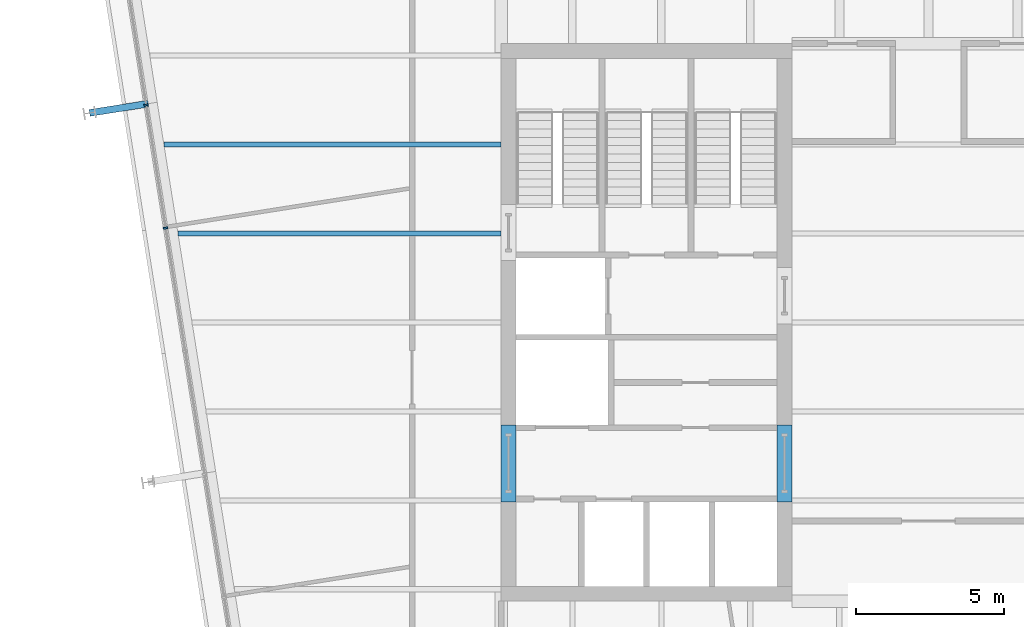
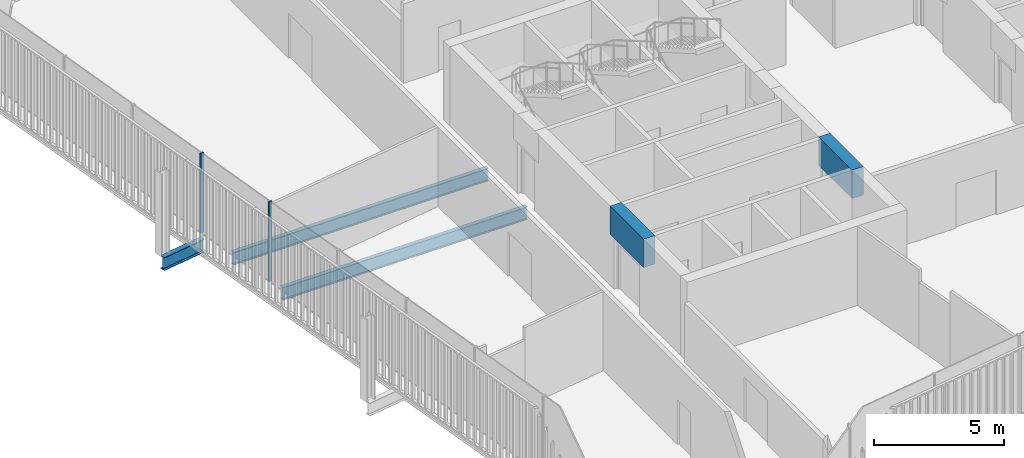
# One storey, part 6 of 20: 5 beams, 2 members, 1 element without a shape of its own.
"""IFC4 building model written with IfcOpenShell, lengths in metres."""

from ifc_helpers import new_model, si_unit, direction, frame, origin, origin_2d, place, context, subcontext, project, spatial, rectangle, i_section, extrude, material, layer, layer_set, material_profile, profile_set, type_object, element, aggregate, save


model = new_model("IFC4")

# Units and contexts
model_context = context("Model", 3, precision=1e-05, world=origin(), true_north=direction((0.0, 1.0)))
body_context = subcontext(model_context, "Body", "Model", "MODEL_VIEW")
ifc_project = project(units=[si_unit("LENGTHUNIT", "METRE"), si_unit("AREAUNIT", "SQUARE_METRE"), si_unit("VOLUMEUNIT", "CUBIC_METRE"), si_unit("PLANEANGLEUNIT", "RADIAN"), si_unit("MASSUNIT", "GRAM", prefix="KILO")], contexts=[model_context])

# Site, building, storey
site_placement = place(None, origin())
site = spatial("IfcSite", under=ifc_project, at=site_placement, CompositionType="ELEMENT")
building_placement = place(site_placement, origin())
building = spatial("IfcBuilding", under=site, at=building_placement, Name="Millrace Tower", CompositionType="ELEMENT")
storey_placement = place(building_placement, frame((0.0, 0.0, 208.60009765625)))
storey = spatial("IfcBuildingStorey", under=building, at=storey_placement, Name="L47", CompositionType="ELEMENT", Elevation=208.60009765625)

# Curtain wall, members
ifc_material_1 = material(Name="Aluminium and glass", Category="aluminium")
ifc_layer = layer(ifc_material_1, 0.14990234375)
ifc_layer_set = layer_set([ifc_layer], Name="Aluminium and glass")
curtain_wall_type = type_object("IfcCurtainWallType", Name="CW-1 office vision curtain wall", PredefinedType="NOTDEFINED", material=ifc_layer_set)
curtain_wall_placement = place(storey_placement, origin())
curtain_wall = element("IfcCurtainWall", 1, at=curtain_wall_placement, inside=storey, type_object=curtain_wall_type, Name="Curtain wall D-F08 L47", PredefinedType="NOTDEFINED")
ifc_material_2 = material(Name="Aluminium", Category="aluminium")
ifc_material_profile_1 = material_profile(ifc_material_2, rectangle(XDim=0.06494140625, YDim=0.14990234375, at=origin_2d()))
ifc_profile_set_1 = profile_set([ifc_material_profile_1], Name="Aluminium")
member_type = type_object("IfcMemberType", Name="CW-1 office vision curtain wall mullion", PredefinedType="MULLION", material=ifc_profile_set_1)
member_1_placement = place(storey_placement, frame((-26.371337890625, 7.33056640625, 0.139892578125), z_axis=(0.0, 0.0, 1.0), x_axis=(0.156434471884, -0.987688339511, 0.0)))
member_1 = element("IfcMember", 2, at=member_1_placement, type_object=member_type, Name="CW1 mullion D-F08.4", PredefinedType="MULLION", context=body_context, shape_type="SweptSolid", body=[
    extrude(rectangle(XDim=0.06494140625, YDim=0.14990234375, at=origin_2d()), origin(), (0.0, 0.0, 1.0), 3.760009765625),
])
member_2_placement = place(storey_placement, frame((-25.71435546875, 3.182373046875, 0.139892578125), z_axis=(0.0, 0.0, 1.0), x_axis=(0.156434471884, -0.987688339511, 0.0)))
member_2 = element("IfcMember", 3, at=member_2_placement, type_object=member_type, Name="CW1 mullion D-F08.5", PredefinedType="MULLION", context=body_context, shape_type="SweptSolid", body=[
    extrude(rectangle(XDim=0.06494140625, YDim=0.14990234375, at=origin_2d()), origin(), (0.0, 0.0, 1.0), 3.760009765625),
])
aggregate(curtain_wall, [member_1, member_2])

# Beams
ifc_material_3 = material(Name="Concrete C60", Category="concrete")
ifc_material_profile_2 = material_profile(ifc_material_3, rectangle(XDim=0.5, YDim=1.340087890625, at=origin_2d()))
ifc_profile_set_2 = profile_set([ifc_material_profile_2], Name="Concrete C60")
beam_type_1 = type_object("IfcBeamType", Name="Coupling beam 500 x 1340 Concrete C60, 2000 opening", PredefinedType="BEAM", material=ifc_profile_set_2)
for number, where, z_axis, x_axis, name in (
    (4, (-14.14990234375, -6.050048828125, 3.06982421875), (0.0, 1.0, 0.0), (-1.0, 0.0, 0.0), "Coupling beam W L47"),
    (5, (-4.85009765625, -6.050048828125, 3.06982421875), (0.0, 1.0, 0.0), (-1.0, 0.0, 0.0), "Coupling beam W L47"),
):
    element("IfcBeam", number, at=place(storey_placement, frame(where, z_axis=z_axis, x_axis=x_axis)), inside=storey, type_object=beam_type_1, Name=name, PredefinedType="BEAM", context=body_context, shape_type="SweptSolid", body=[
        extrude(rectangle(XDim=0.5, YDim=1.340087890625, at=origin_2d()), origin(), (0.0, 0.0, 1.0), 2.60009765625),
    ])
ifc_material_4 = material(Name="Steel ASTM A992 Grade 50", Category="steel")
ifc_material_profile_3 = material_profile(ifc_material_4, i_section(OverallWidth=0.1787109375, OverallDepth=0.60205078125, WebThickness=0.010986328125, FlangeThickness=0.014892578125, FilletRadius=0.0126953125, at=origin_2d()))
ifc_profile_set_3 = profile_set([ifc_material_profile_3], Name="Steel ASTM A992 Grade 50")
beam_type_2 = type_object("IfcBeamType", Name="Floor beam W24x62", PredefinedType="JOIST", material=ifc_profile_set_3)
beam_1_placement = place(storey_placement, frame((-25.29833984375, 3.0, -0.461181640625), z_axis=(1.0, 0.0, 0.0), x_axis=(0.0, 1.0, 0.0)))
element("IfcBeam", 6, at=beam_1_placement, inside=storey, type_object=beam_type_2, Name="BM-D-L47-S1-S018", PredefinedType="JOIST", context=body_context, shape_type="SweptSolid", body=[
    extrude(i_section(OverallWidth=0.1787109375, OverallDepth=0.60205078125, WebThickness=0.010986328125, FlangeThickness=0.014892578125, FilletRadius=0.0126953125, at=origin_2d()), origin(), (0.0, 0.0, 1.0), 10.8984375),
])
beam_2_placement = place(storey_placement, frame((-25.7734375, 6.0, -0.461181640625), z_axis=(1.0, 0.0, 0.0), x_axis=(0.0, 1.0, 0.0)))
element("IfcBeam", 7, at=beam_2_placement, inside=storey, type_object=beam_type_2, Name="BM-D-L47-S1-S021", PredefinedType="JOIST", context=body_context, shape_type="SweptSolid", body=[
    extrude(i_section(OverallWidth=0.1787109375, OverallDepth=0.60205078125, WebThickness=0.010986328125, FlangeThickness=0.014892578125, FilletRadius=0.0126953125, at=origin_2d()), origin(), (0.0, 0.0, 1.0), 11.37353515625),
])
ifc_material_5 = material(Name="Steel ASTM A992 Grade 50", Category="steel")
ifc_material_profile_4 = material_profile(ifc_material_5, i_section(OverallWidth=0.23046875, OverallDepth=0.6171875, WebThickness=0.01318359375, FlangeThickness=0.022216796875, FilletRadius=0.012939453125, at=origin_2d()))
ifc_profile_set_4 = profile_set([ifc_material_profile_4], Name="Steel ASTM A992 Grade 50")
beam_type_3 = type_object("IfcBeamType", Name="Link beam W24x94", PredefinedType="BEAM", material=ifc_profile_set_4)
beam_3_placement = place(storey_placement, frame((-26.302490234375, 7.37451171875, -0.46875), z_axis=(-0.987678691416, -0.156495375404, 0.0), x_axis=(0.156495375404, -0.987678691416, 0.0)))
element("IfcBeam", 8, at=beam_3_placement, inside=storey, type_object=beam_type_3, Name="LNK-D-L47-S1-03", PredefinedType="BEAM", context=body_context, shape_type="SweptSolid", body=[
    extrude(i_section(OverallWidth=0.23046875, OverallDepth=0.6171875, WebThickness=0.01318359375, FlangeThickness=0.022216796875, FilletRadius=0.012939453125, at=origin_2d()), origin(), (0.0, 0.0, 1.0), 2.0),
])

save(model, "model.ifc")
